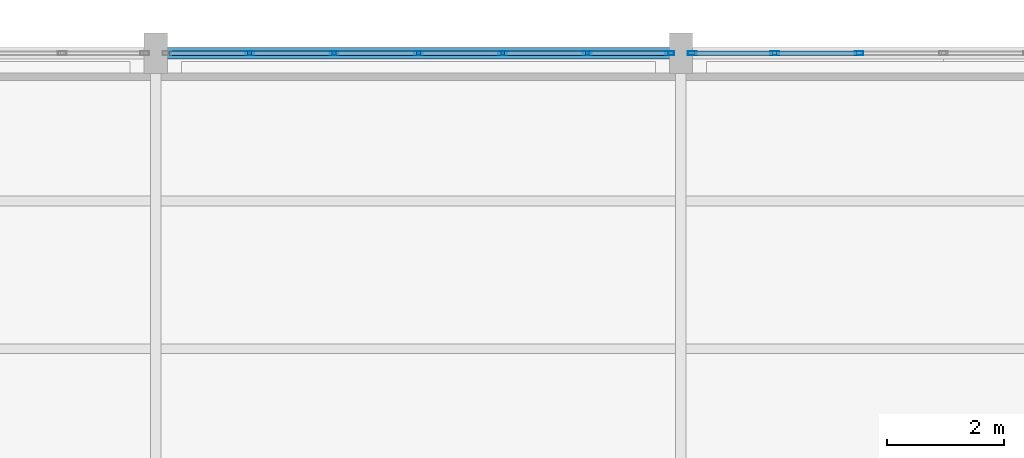
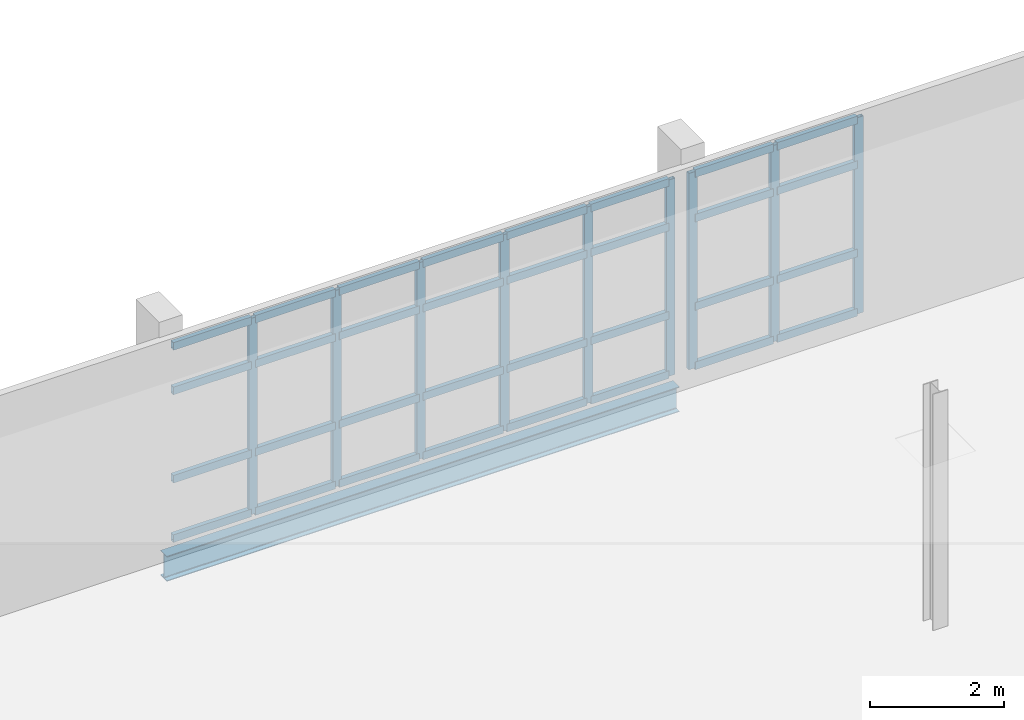
# One storey, part 99 of 174: 41 members, 1 beam, 2 elements without a shape of their own.
"""IFC4 building model written with IfcOpenShell, lengths in metres."""

import ifcopenshell
import ifcopenshell.guid

model = None  # the IFC model being written
_history = None  # IfcOwnerHistory: only IFC2X3 demands one
_inside = {}  # id of a spatial element -> (the spatial element, [elements in it])
_under = {}  # id of a project, library or spatial element -> (it, [spatial elements below it])
_declared = {}  # id of a project -> (the project, [libraries it declares])
_typed = {}  # id of a type object -> (the type object, [elements of that type])
_made_of = {}  # id of a material, layer set ... -> (it, [elements and type objects made of it])


def new_model(schema):
    """Start an empty IFC model of exactly this schema.

    Asked for "IFC4X3", IfcOpenShell would pick the latest addendum, in which some entities
    have other attributes; the version numbers below select the first issue.
    IFC2X3 requires an IfcOwnerHistory on every rooted entity: one is made here for all.
    """
    global model, _history
    if schema == "IFC4X3":
        model = ifcopenshell.file(schema_version=(4, 3, 0, 0))
    else:
        model = ifcopenshell.file(schema=schema)
    _inside.clear()
    _under.clear()
    _declared.clear()
    _typed.clear()
    _made_of.clear()
    _history = None
    if model.schema == "IFC2X3":
        org = make("IfcOrganization", Name="unknown")
        user = make(
            "IfcPersonAndOrganization",
            ThePerson=make("IfcPerson", FamilyName="unknown"),
            TheOrganization=org,
        )
        app = make(
            "IfcApplication",
            ApplicationDeveloper=org,
            Version="unknown",
            ApplicationFullName="unknown",
            ApplicationIdentifier="unknown",
        )
        _history = make(
            "IfcOwnerHistory",
            OwningUser=user,
            OwningApplication=app,
            ChangeAction="ADDED",
            CreationDate=0,
        )
    return model


def make(cls, **values):
    """One entity of the class cls with the attributes given. An attribute that is None is left unset."""
    return model.create_entity(
        cls, **{name: value for name, value in values.items() if value is not None}
    )


def rooted(cls, **values):
    """An entity with a GlobalId (a new one), such as an element, a storey or a relation."""
    return make(cls, GlobalId=ifcopenshell.guid.new(), OwnerHistory=_history, **values)


def si_unit(unit_type, name, prefix=None):
    """IfcSIUnit, for example si_unit("LENGTHUNIT", "METRE", prefix="MILLI")."""
    return make("IfcSIUnit", UnitType=unit_type, Prefix=prefix, Name=name)


def assignment(units):
    """IfcUnitAssignment: the units of a project."""
    return None if units is None else make("IfcUnitAssignment", Units=units)


def point(xyz):
    """IfcCartesianPoint."""
    return None if xyz is None else make("IfcCartesianPoint", Coordinates=xyz)


def direction(xyz):
    """IfcDirection."""
    return None if xyz is None else make("IfcDirection", DirectionRatios=xyz)


def frame(location, z_axis=None, x_axis=None):
    """IfcAxis2Placement3D, a coordinate frame: its origin and axes. An axis left out is left unset."""
    return make(
        "IfcAxis2Placement3D",
        Location=point(location),
        Axis=direction(z_axis),
        RefDirection=direction(x_axis),
    )


def frame_2d(location, x_axis=None):
    """IfcAxis2Placement2D, a coordinate frame in the plane: its origin and x axis."""
    return make(
        "IfcAxis2Placement2D", Location=point(location), RefDirection=direction(x_axis)
    )


def origin():
    """The frame at (0, 0, 0) with its axes left unset."""
    return frame((0.0, 0.0, 0.0))


def origin_2d():
    """The frame at (0, 0) in the plane with its x axis left unset."""
    return frame_2d((0.0, 0.0))


def place(relative_to, where):
    """IfcLocalPlacement: puts the frame where relative to a parent placement (None: the world)."""
    return make(
        "IfcLocalPlacement", PlacementRelTo=relative_to, RelativePlacement=where
    )


def context(
    kind, dimensions, precision=None, world=None, true_north=None, identifier=None
):
    """IfcGeometricRepresentationContext, for example the 3D "Model" context."""
    return make(
        "IfcGeometricRepresentationContext",
        ContextIdentifier=identifier,
        ContextType=kind,
        CoordinateSpaceDimension=dimensions,
        Precision=precision,
        WorldCoordinateSystem=world,
        TrueNorth=true_north,
    )


def subcontext(parent, identifier, kind, view, scale=None):
    """IfcGeometricRepresentationSubContext, for example "Body" below "Model"."""
    return make(
        "IfcGeometricRepresentationSubContext",
        ContextIdentifier=identifier,
        ContextType=kind,
        ParentContext=parent,
        TargetScale=scale,
        TargetView=view,
    )


def project(units=None, contexts=None):
    """IfcProject with its units and contexts."""
    return rooted(
        "IfcProject",
        Name="project",
        RepresentationContexts=contexts,
        UnitsInContext=assignment(units),
    )


def spatial(cls, under=None, at=None, **own):
    """A site, building, storey or space (cls), placed at a placement, below another one or the project."""
    s = rooted(cls, ObjectPlacement=at, **own)
    if under is not None:
        _under.setdefault(under.id(), (under, []))[1].append(s)
    return s


def profile(cls, at=None, kind="AREA", **sizes):
    """A parametric profile (cls). Its sizes go by their IFC names, for example OverallWidth=200.0."""
    return make(cls, ProfileType=kind, Position=at, **sizes)


def hollow_rectangle(**sizes):
    """IfcRectangleHollowProfileDef."""
    return profile("IfcRectangleHollowProfileDef", **sizes)


def i_section(**sizes):
    """IfcIShapeProfileDef."""
    return profile("IfcIShapeProfileDef", **sizes)


def extrude(swept, where, along, depth):
    """IfcExtrudedAreaSolid: the profile swept, set in the frame where, extruded along a direction by depth."""
    return make(
        "IfcExtrudedAreaSolid",
        SweptArea=swept,
        Position=where,
        ExtrudedDirection=direction(along),
        Depth=depth,
    )


def shape(context_of_items, identifier, shape_type, items):
    """IfcShapeRepresentation: the items that make up one representation, for example the "Body"."""
    return make(
        "IfcShapeRepresentation",
        ContextOfItems=context_of_items,
        RepresentationIdentifier=identifier,
        RepresentationType=shape_type,
        Items=items,
    )


def material(Name=None, Category=None):
    """IfcMaterial."""
    return make("IfcMaterial", Name=Name, Category=Category)


def material_profile(
    of_material, cross_section, Name=None, Category=None, Priority=None
):
    """IfcMaterialProfile: a cross section and its material."""
    return make(
        "IfcMaterialProfile",
        Name=Name,
        Material=of_material,
        Profile=cross_section,
        Priority=Priority,
        Category=Category,
    )


def profile_set(profiles, Name=None, composite=None):
    """IfcMaterialProfileSet."""
    return make(
        "IfcMaterialProfileSet",
        Name=Name,
        MaterialProfiles=profiles,
        CompositeProfile=composite,
    )


def made_of(thing, what):
    """Note that an element or type object is made of a material, layer set ...; save() writes the relation."""
    if what is not None:
        _made_of.setdefault(what.id(), (what, []))[1].append(thing)
    return thing


def type_object(cls, material=None, **own):
    """A type object (cls), such as IfcWallType, which elements share."""
    return made_of(rooted(cls, **own), material)


def element(
    cls,
    number,
    at=None,
    inside=None,
    cuts=None,
    type_object=None,
    material=None,
    context=None,
    identifier="Body",
    shape_type=None,
    held_by="IfcProductDefinitionShape",
    body=None,
    shapes=None,
    **own,
):
    """One element of the class cls, such as IfcWall. Its Tag is "e" and its number.

    at: its placement. inside: the storey or other place that contains it. cuts: it is an
    opening in that element (IfcRelVoidsElement). A single representation is given by context,
    identifier, shape_type and body (its items); several are given by shapes. held_by: the class
    of the entity that holds the representations. save() writes the other relations.
    """
    e = rooted(cls, Tag="e%d" % number, ObjectPlacement=at, **own)
    if body is not None:
        shapes = [shape(context, identifier, shape_type, body)]
    if shapes is not None:
        e.Representation = make(held_by, Representations=shapes)
    if inside is not None:
        _inside.setdefault(inside.id(), (inside, []))[1].append(e)
    if cuts is not None:
        rooted(
            "IfcRelVoidsElement", RelatingBuildingElement=cuts, RelatedOpeningElement=e
        )
    if type_object is not None:
        _typed.setdefault(type_object.id(), (type_object, []))[1].append(e)
    return made_of(e, material)


def aggregate(whole, parts):
    """IfcRelAggregates: a whole, such as a stair, and the parts it consists of."""
    return rooted("IfcRelAggregates", RelatingObject=whole, RelatedObjects=parts)


def save(model, path):
    """Write the relations noted so far, then the file.

    IfcRelAggregates (storeys below a building ...), IfcRelContainedInSpatialStructure (elements
    in a storey), IfcRelDefinesByType, IfcRelAssociatesMaterial and IfcRelDeclares: one each for
    every whole, place, type object, material and project.
    """
    for whole, parts in _under.values():
        aggregate(whole, parts)
    for where, things in _inside.values():
        rooted(
            "IfcRelContainedInSpatialStructure",
            RelatedElements=things,
            RelatingStructure=where,
        )
    for kind, things in _typed.values():
        rooted("IfcRelDefinesByType", RelatedObjects=things, RelatingType=kind)
    for what, things in _made_of.values():
        rooted("IfcRelAssociatesMaterial", RelatedObjects=things, RelatingMaterial=what)
    for by, libraries in _declared.values():
        rooted("IfcRelDeclares", RelatingContext=by, RelatedDefinitions=libraries)
    model.write(path)


model = new_model("IFC4")

# Units and contexts
model_context = context("Model", 3, precision=1e-05, world=origin(), true_north=direction((0.0, 1.0)))
body_context = subcontext(model_context, "Body", "Model", "MODEL_VIEW")
ifc_project = project(units=[si_unit("LENGTHUNIT", "METRE"), si_unit("AREAUNIT", "SQUARE_METRE"), si_unit("VOLUMEUNIT", "CUBIC_METRE"), si_unit("PLANEANGLEUNIT", "RADIAN"), si_unit("MASSUNIT", "GRAM", prefix="KILO")], contexts=[model_context])

# Site, building, storey
site_placement = place(None, origin())
site = spatial("IfcSite", under=ifc_project, at=site_placement, CompositionType="ELEMENT")
building_placement = place(site_placement, origin())
building = spatial("IfcBuilding", under=site, at=building_placement, Name="Caisbarro Railhouse Central Library", CompositionType="ELEMENT")
storey_placement = place(building_placement, frame((0.0, 0.0, 5.0400390625)))
storey = spatial("IfcBuildingStorey", under=building, at=storey_placement, Name="L01", CompositionType="ELEMENT", Elevation=5.0400390625)

# Beam
ifc_material_1 = material(Name="Steel ASTM A572 Grade 50", Category="steel")
ifc_material_profile_1 = material_profile(ifc_material_1, i_section(OverallWidth=0.18994140625, OverallDepth=0.45703125, WebThickness=0.009033203125, FlangeThickness=0.014404296875, FilletRadius=0.01806640625, at=origin_2d()), Name="W460X74.0")
ifc_profile_set_1 = profile_set([ifc_material_profile_1], Name="Steel ASTM A572 Grade 50")
beam_type = type_object("IfcBeamType", Name="BM-SP01", PredefinedType="SPANDREL", material=ifc_profile_set_1)
beam_placement = place(storey_placement, frame((63.080078125, 114.0, -0.428466796875), z_axis=(1.0, 0.0, 0.0), x_axis=(0.0, 1.0, 0.0)))
element("IfcBeam", 1, at=beam_placement, inside=storey, type_object=beam_type, Name="SP01 beam L01 #1180", PredefinedType="SPANDREL", context=body_context, shape_type="SweptSolid", body=[
    extrude(i_section(OverallWidth=0.18994140625, OverallDepth=0.45703125, WebThickness=0.009033203125, FlangeThickness=0.014404296875, FilletRadius=0.01806640625, at=origin_2d()), origin(), (0.0, 0.0, 1.0), 8.83984375),
])

# Curtain wall, members
ifc_material_2 = material(Name="Anodised architectural aluminium", Category="aluminium")
curtain_wall_type = type_object("IfcCurtainWallType", Name="CW-CW03", PredefinedType="NOTDEFINED", material=ifc_material_2)
curtain_wall_1_placement = place(storey_placement, origin())
curtain_wall_1 = element("IfcCurtainWall", 2, at=curtain_wall_1_placement, inside=storey, type_object=curtain_wall_type, Name="CW03 curtain wall L01 #173", PredefinedType="NOTDEFINED")
ifc_material_profile_2 = material_profile(ifc_material_2, hollow_rectangle(XDim=0.06494140625, YDim=0.14990234375, WallThickness=0.00390625, at=origin_2d()), Name="ALU-MUL-65X150")
ifc_profile_set_2 = profile_set([ifc_material_profile_2], Name="Anodised architectural aluminium")
member_type_1 = type_object("IfcMemberType", Name="CWM-M02", PredefinedType="MULLION", material=ifc_profile_set_2)
member_1_placement = place(storey_placement, frame((64.606689453125, 114.0, 0.0), z_axis=(0.0, 0.0, 1.0), x_axis=(0.0, 1.0, 0.0)))
member_1 = element("IfcMember", 3, at=member_1_placement, type_object=member_type_1, Name="CW03 mullion 2", PredefinedType="MULLION", context=body_context, shape_type="SweptSolid", body=[
    extrude(hollow_rectangle(XDim=0.06494140625, YDim=0.14990234375, WallThickness=0.00390625, at=origin_2d()), origin(), (0.0, 0.0, 1.0), 3.580078125),
])
member_2_placement = place(storey_placement, frame((66.05322265625, 114.0, 0.0), z_axis=(0.0, 0.0, 1.0), x_axis=(0.0, 1.0, 0.0)))
member_2 = element("IfcMember", 4, at=member_2_placement, type_object=member_type_1, Name="CW03 mullion 3", PredefinedType="MULLION", context=body_context, shape_type="SweptSolid", body=[
    extrude(hollow_rectangle(XDim=0.06494140625, YDim=0.14990234375, WallThickness=0.00390625, at=origin_2d()), origin(), (0.0, 0.0, 1.0), 3.580078125),
])
member_3_placement = place(storey_placement, frame((67.5, 114.0, 0.0), z_axis=(0.0, 0.0, 1.0), x_axis=(0.0, 1.0, 0.0)))
member_3 = element("IfcMember", 5, at=member_3_placement, type_object=member_type_1, Name="CW03 mullion 4", PredefinedType="MULLION", context=body_context, shape_type="SweptSolid", body=[
    extrude(hollow_rectangle(XDim=0.06494140625, YDim=0.14990234375, WallThickness=0.00390625, at=origin_2d()), origin(), (0.0, 0.0, 1.0), 3.580078125),
])
member_4_placement = place(storey_placement, frame((68.94677734375, 114.0, 0.0), z_axis=(0.0, 0.0, 1.0), x_axis=(0.0, 1.0, 0.0)))
member_4 = element("IfcMember", 6, at=member_4_placement, type_object=member_type_1, Name="CW03 mullion 5", PredefinedType="MULLION", context=body_context, shape_type="SweptSolid", body=[
    extrude(hollow_rectangle(XDim=0.06494140625, YDim=0.14990234375, WallThickness=0.00390625, at=origin_2d()), origin(), (0.0, 0.0, 1.0), 3.580078125),
])
member_5_placement = place(storey_placement, frame((70.393310546875, 114.0, 0.0), z_axis=(0.0, 0.0, 1.0), x_axis=(0.0, 1.0, 0.0)))
member_5 = element("IfcMember", 7, at=member_5_placement, type_object=member_type_1, Name="CW03 mullion 6", PredefinedType="MULLION", context=body_context, shape_type="SweptSolid", body=[
    extrude(hollow_rectangle(XDim=0.06494140625, YDim=0.14990234375, WallThickness=0.00390625, at=origin_2d()), origin(), (0.0, 0.0, 1.0), 3.580078125),
])
member_6_placement = place(storey_placement, frame((71.8076171875, 114.0, 0.0), z_axis=(0.0, 0.0, 1.0), x_axis=(0.0, 1.0, 0.0)))
member_6 = element("IfcMember", 8, at=member_6_placement, type_object=member_type_1, Name="CW03 mullion 7", PredefinedType="MULLION", context=body_context, shape_type="SweptSolid", body=[
    extrude(hollow_rectangle(XDim=0.06494140625, YDim=0.14990234375, WallThickness=0.00390625, at=origin_2d()), origin(), (0.0, 0.0, 1.0), 3.580078125),
])

curtain_wall_2_placement = place(storey_placement, origin())
curtain_wall_2 = element("IfcCurtainWall", 9, at=curtain_wall_2_placement, inside=storey, type_object=curtain_wall_type, Name="CW03 curtain wall L01 #175", PredefinedType="NOTDEFINED")
member_7_placement = place(storey_placement, frame((72.1923828125, 114.0, 0.0), z_axis=(0.0, 0.0, 1.0), x_axis=(0.0, 1.0, 0.0)))
member_7 = element("IfcMember", 10, at=member_7_placement, type_object=member_type_1, Name="CW03 mullion 1", PredefinedType="MULLION", context=body_context, shape_type="SweptSolid", body=[
    extrude(hollow_rectangle(XDim=0.06494140625, YDim=0.14990234375, WallThickness=0.00390625, at=origin_2d()), origin(), (0.0, 0.0, 1.0), 3.580078125),
])
member_8_placement = place(storey_placement, frame((73.606689453125, 114.0, 0.0), z_axis=(0.0, 0.0, 1.0), x_axis=(0.0, 1.0, 0.0)))
member_8 = element("IfcMember", 11, at=member_8_placement, type_object=member_type_1, Name="CW03 mullion 2", PredefinedType="MULLION", context=body_context, shape_type="SweptSolid", body=[
    extrude(hollow_rectangle(XDim=0.06494140625, YDim=0.14990234375, WallThickness=0.00390625, at=origin_2d()), origin(), (0.0, 0.0, 1.0), 3.580078125),
])
member_9_placement = place(storey_placement, frame((75.05322265625, 114.0, 0.0), z_axis=(0.0, 0.0, 1.0), x_axis=(0.0, 1.0, 0.0)))
member_9 = element("IfcMember", 12, at=member_9_placement, type_object=member_type_1, Name="CW03 mullion 3", PredefinedType="MULLION", context=body_context, shape_type="SweptSolid", body=[
    extrude(hollow_rectangle(XDim=0.06494140625, YDim=0.14990234375, WallThickness=0.00390625, at=origin_2d()), origin(), (0.0, 0.0, 1.0), 3.580078125),
])

# Member
ifc_material_profile_3 = material_profile(ifc_material_2, hollow_rectangle(XDim=0.074951171875, YDim=0.139892578125, WallThickness=0.00390625, at=origin_2d()), Name="ALU-TRN-75X140")
ifc_profile_set_3 = profile_set([ifc_material_profile_3], Name="Anodised architectural aluminium")
member_type_2 = type_object("IfcMemberType", Name="CWT-T01", PredefinedType="USERDEFINED", material=ifc_profile_set_3)
member_10_placement = place(storey_placement, frame((63.22509765625, 114.0, 0.037353515625), z_axis=(1.0, 0.0, 0.0), x_axis=(0.0, 1.0, 0.0)))
member_10 = element("IfcMember", 13, at=member_10_placement, type_object=member_type_2, Name="CW03 transom 1.1", ObjectType="TRANSOM", PredefinedType="USERDEFINED", context=body_context, shape_type="SweptSolid", body=[
    extrude(hollow_rectangle(XDim=0.074951171875, YDim=0.139892578125, WallThickness=0.00390625, at=origin_2d()), origin(), (0.0, 0.0, 1.0), 1.34912109375),
])

member_11_placement = place(storey_placement, frame((63.22509765625, 114.0, 1.119873046875), z_axis=(1.0, 0.0, 0.0), x_axis=(0.0, 1.0, 0.0)))
member_11 = element("IfcMember", 14, at=member_11_placement, type_object=member_type_2, Name="CW03 transom 1.2", ObjectType="TRANSOM", PredefinedType="USERDEFINED", context=body_context, shape_type="SweptSolid", body=[
    extrude(hollow_rectangle(XDim=0.074951171875, YDim=0.139892578125, WallThickness=0.00390625, at=origin_2d()), origin(), (0.0, 0.0, 1.0), 1.34912109375),
])

member_12_placement = place(storey_placement, frame((63.22509765625, 114.0, 2.72998046875), z_axis=(1.0, 0.0, 0.0), x_axis=(0.0, 1.0, 0.0)))
member_12 = element("IfcMember", 15, at=member_12_placement, type_object=member_type_2, Name="CW03 transom 1.3", ObjectType="TRANSOM", PredefinedType="USERDEFINED", context=body_context, shape_type="SweptSolid", body=[
    extrude(hollow_rectangle(XDim=0.074951171875, YDim=0.139892578125, WallThickness=0.00390625, at=origin_2d()), origin(), (0.0, 0.0, 1.0), 1.34912109375),
])

member_13_placement = place(storey_placement, frame((63.22509765625, 114.0, 3.54248046875), z_axis=(1.0, 0.0, 0.0), x_axis=(0.0, 1.0, 0.0)))
member_13 = element("IfcMember", 16, at=member_13_placement, type_object=member_type_2, Name="CW03 transom 1.4", ObjectType="TRANSOM", PredefinedType="USERDEFINED", context=body_context, shape_type="SweptSolid", body=[
    extrude(hollow_rectangle(XDim=0.074951171875, YDim=0.139892578125, WallThickness=0.00390625, at=origin_2d()), origin(), (0.0, 0.0, 1.0), 1.34912109375),
])

member_14_placement = place(storey_placement, frame((64.63916015625, 114.0, 0.037353515625), z_axis=(1.0, 0.0, 0.0), x_axis=(0.0, 1.0, 0.0)))
member_14 = element("IfcMember", 17, at=member_14_placement, type_object=member_type_2, Name="CW03 transom 2.1", ObjectType="TRANSOM", PredefinedType="USERDEFINED", context=body_context, shape_type="SweptSolid", body=[
    extrude(hollow_rectangle(XDim=0.074951171875, YDim=0.139892578125, WallThickness=0.00390625, at=origin_2d()), origin(), (0.0, 0.0, 1.0), 1.381591796875),
])

member_15_placement = place(storey_placement, frame((64.63916015625, 114.0, 1.119873046875), z_axis=(1.0, 0.0, 0.0), x_axis=(0.0, 1.0, 0.0)))
member_15 = element("IfcMember", 18, at=member_15_placement, type_object=member_type_2, Name="CW03 transom 2.2", ObjectType="TRANSOM", PredefinedType="USERDEFINED", context=body_context, shape_type="SweptSolid", body=[
    extrude(hollow_rectangle(XDim=0.074951171875, YDim=0.139892578125, WallThickness=0.00390625, at=origin_2d()), origin(), (0.0, 0.0, 1.0), 1.381591796875),
])

member_16_placement = place(storey_placement, frame((64.63916015625, 114.0, 2.72998046875), z_axis=(1.0, 0.0, 0.0), x_axis=(0.0, 1.0, 0.0)))
member_16 = element("IfcMember", 19, at=member_16_placement, type_object=member_type_2, Name="CW03 transom 2.3", ObjectType="TRANSOM", PredefinedType="USERDEFINED", context=body_context, shape_type="SweptSolid", body=[
    extrude(hollow_rectangle(XDim=0.074951171875, YDim=0.139892578125, WallThickness=0.00390625, at=origin_2d()), origin(), (0.0, 0.0, 1.0), 1.381591796875),
])

member_17_placement = place(storey_placement, frame((64.63916015625, 114.0, 3.54248046875), z_axis=(1.0, 0.0, 0.0), x_axis=(0.0, 1.0, 0.0)))
member_17 = element("IfcMember", 20, at=member_17_placement, type_object=member_type_2, Name="CW03 transom 2.4", ObjectType="TRANSOM", PredefinedType="USERDEFINED", context=body_context, shape_type="SweptSolid", body=[
    extrude(hollow_rectangle(XDim=0.074951171875, YDim=0.139892578125, WallThickness=0.00390625, at=origin_2d()), origin(), (0.0, 0.0, 1.0), 1.381591796875),
])

member_18_placement = place(storey_placement, frame((66.0859375, 114.0, 0.037353515625), z_axis=(1.0, 0.0, 0.0), x_axis=(0.0, 1.0, 0.0)))
member_18 = element("IfcMember", 21, at=member_18_placement, type_object=member_type_2, Name="CW03 transom 3.1", ObjectType="TRANSOM", PredefinedType="USERDEFINED", context=body_context, shape_type="SweptSolid", body=[
    extrude(hollow_rectangle(XDim=0.074951171875, YDim=0.139892578125, WallThickness=0.00390625, at=origin_2d()), origin(), (0.0, 0.0, 1.0), 1.381591796875),
])

member_19_placement = place(storey_placement, frame((66.0859375, 114.0, 1.119873046875), z_axis=(1.0, 0.0, 0.0), x_axis=(0.0, 1.0, 0.0)))
member_19 = element("IfcMember", 22, at=member_19_placement, type_object=member_type_2, Name="CW03 transom 3.2", ObjectType="TRANSOM", PredefinedType="USERDEFINED", context=body_context, shape_type="SweptSolid", body=[
    extrude(hollow_rectangle(XDim=0.074951171875, YDim=0.139892578125, WallThickness=0.00390625, at=origin_2d()), origin(), (0.0, 0.0, 1.0), 1.381591796875),
])

member_20_placement = place(storey_placement, frame((66.0859375, 114.0, 2.72998046875), z_axis=(1.0, 0.0, 0.0), x_axis=(0.0, 1.0, 0.0)))
member_20 = element("IfcMember", 23, at=member_20_placement, type_object=member_type_2, Name="CW03 transom 3.3", ObjectType="TRANSOM", PredefinedType="USERDEFINED", context=body_context, shape_type="SweptSolid", body=[
    extrude(hollow_rectangle(XDim=0.074951171875, YDim=0.139892578125, WallThickness=0.00390625, at=origin_2d()), origin(), (0.0, 0.0, 1.0), 1.381591796875),
])

member_21_placement = place(storey_placement, frame((66.0859375, 114.0, 3.54248046875), z_axis=(1.0, 0.0, 0.0), x_axis=(0.0, 1.0, 0.0)))
member_21 = element("IfcMember", 24, at=member_21_placement, type_object=member_type_2, Name="CW03 transom 3.4", ObjectType="TRANSOM", PredefinedType="USERDEFINED", context=body_context, shape_type="SweptSolid", body=[
    extrude(hollow_rectangle(XDim=0.074951171875, YDim=0.139892578125, WallThickness=0.00390625, at=origin_2d()), origin(), (0.0, 0.0, 1.0), 1.381591796875),
])

member_22_placement = place(storey_placement, frame((67.532470703125, 114.0, 0.037353515625), z_axis=(1.0, 0.0, 0.0), x_axis=(0.0, 1.0, 0.0)))
member_22 = element("IfcMember", 25, at=member_22_placement, type_object=member_type_2, Name="CW03 transom 4.1", ObjectType="TRANSOM", PredefinedType="USERDEFINED", context=body_context, shape_type="SweptSolid", body=[
    extrude(hollow_rectangle(XDim=0.074951171875, YDim=0.139892578125, WallThickness=0.00390625, at=origin_2d()), origin(), (0.0, 0.0, 1.0), 1.381591796875),
])

member_23_placement = place(storey_placement, frame((67.532470703125, 114.0, 1.119873046875), z_axis=(1.0, 0.0, 0.0), x_axis=(0.0, 1.0, 0.0)))
member_23 = element("IfcMember", 26, at=member_23_placement, type_object=member_type_2, Name="CW03 transom 4.2", ObjectType="TRANSOM", PredefinedType="USERDEFINED", context=body_context, shape_type="SweptSolid", body=[
    extrude(hollow_rectangle(XDim=0.074951171875, YDim=0.139892578125, WallThickness=0.00390625, at=origin_2d()), origin(), (0.0, 0.0, 1.0), 1.381591796875),
])

member_24_placement = place(storey_placement, frame((67.532470703125, 114.0, 2.72998046875), z_axis=(1.0, 0.0, 0.0), x_axis=(0.0, 1.0, 0.0)))
member_24 = element("IfcMember", 27, at=member_24_placement, type_object=member_type_2, Name="CW03 transom 4.3", ObjectType="TRANSOM", PredefinedType="USERDEFINED", context=body_context, shape_type="SweptSolid", body=[
    extrude(hollow_rectangle(XDim=0.074951171875, YDim=0.139892578125, WallThickness=0.00390625, at=origin_2d()), origin(), (0.0, 0.0, 1.0), 1.381591796875),
])

member_25_placement = place(storey_placement, frame((67.532470703125, 114.0, 3.54248046875), z_axis=(1.0, 0.0, 0.0), x_axis=(0.0, 1.0, 0.0)))
member_25 = element("IfcMember", 28, at=member_25_placement, type_object=member_type_2, Name="CW03 transom 4.4", ObjectType="TRANSOM", PredefinedType="USERDEFINED", context=body_context, shape_type="SweptSolid", body=[
    extrude(hollow_rectangle(XDim=0.074951171875, YDim=0.139892578125, WallThickness=0.00390625, at=origin_2d()), origin(), (0.0, 0.0, 1.0), 1.381591796875),
])

member_26_placement = place(storey_placement, frame((68.979248046875, 114.0, 0.037353515625), z_axis=(1.0, 0.0, 0.0), x_axis=(0.0, 1.0, 0.0)))
member_26 = element("IfcMember", 29, at=member_26_placement, type_object=member_type_2, Name="CW03 transom 5.1", ObjectType="TRANSOM", PredefinedType="USERDEFINED", context=body_context, shape_type="SweptSolid", body=[
    extrude(hollow_rectangle(XDim=0.074951171875, YDim=0.139892578125, WallThickness=0.00390625, at=origin_2d()), origin(), (0.0, 0.0, 1.0), 1.381591796875),
])

member_27_placement = place(storey_placement, frame((68.979248046875, 114.0, 1.119873046875), z_axis=(1.0, 0.0, 0.0), x_axis=(0.0, 1.0, 0.0)))
member_27 = element("IfcMember", 30, at=member_27_placement, type_object=member_type_2, Name="CW03 transom 5.2", ObjectType="TRANSOM", PredefinedType="USERDEFINED", context=body_context, shape_type="SweptSolid", body=[
    extrude(hollow_rectangle(XDim=0.074951171875, YDim=0.139892578125, WallThickness=0.00390625, at=origin_2d()), origin(), (0.0, 0.0, 1.0), 1.381591796875),
])

member_28_placement = place(storey_placement, frame((68.979248046875, 114.0, 2.72998046875), z_axis=(1.0, 0.0, 0.0), x_axis=(0.0, 1.0, 0.0)))
member_28 = element("IfcMember", 31, at=member_28_placement, type_object=member_type_2, Name="CW03 transom 5.3", ObjectType="TRANSOM", PredefinedType="USERDEFINED", context=body_context, shape_type="SweptSolid", body=[
    extrude(hollow_rectangle(XDim=0.074951171875, YDim=0.139892578125, WallThickness=0.00390625, at=origin_2d()), origin(), (0.0, 0.0, 1.0), 1.381591796875),
])

member_29_placement = place(storey_placement, frame((68.979248046875, 114.0, 3.54248046875), z_axis=(1.0, 0.0, 0.0), x_axis=(0.0, 1.0, 0.0)))
member_29 = element("IfcMember", 32, at=member_29_placement, type_object=member_type_2, Name="CW03 transom 5.4", ObjectType="TRANSOM", PredefinedType="USERDEFINED", context=body_context, shape_type="SweptSolid", body=[
    extrude(hollow_rectangle(XDim=0.074951171875, YDim=0.139892578125, WallThickness=0.00390625, at=origin_2d()), origin(), (0.0, 0.0, 1.0), 1.381591796875),
])

member_30_placement = place(storey_placement, frame((70.42578125, 114.0, 0.037353515625), z_axis=(1.0, 0.0, 0.0), x_axis=(0.0, 1.0, 0.0)))
member_30 = element("IfcMember", 33, at=member_30_placement, type_object=member_type_2, Name="CW03 transom 6.1", ObjectType="TRANSOM", PredefinedType="USERDEFINED", context=body_context, shape_type="SweptSolid", body=[
    extrude(hollow_rectangle(XDim=0.074951171875, YDim=0.139892578125, WallThickness=0.00390625, at=origin_2d()), origin(), (0.0, 0.0, 1.0), 1.34912109375),
])

member_31_placement = place(storey_placement, frame((70.42578125, 114.0, 1.119873046875), z_axis=(1.0, 0.0, 0.0), x_axis=(0.0, 1.0, 0.0)))
member_31 = element("IfcMember", 34, at=member_31_placement, type_object=member_type_2, Name="CW03 transom 6.2", ObjectType="TRANSOM", PredefinedType="USERDEFINED", context=body_context, shape_type="SweptSolid", body=[
    extrude(hollow_rectangle(XDim=0.074951171875, YDim=0.139892578125, WallThickness=0.00390625, at=origin_2d()), origin(), (0.0, 0.0, 1.0), 1.34912109375),
])

member_32_placement = place(storey_placement, frame((70.42578125, 114.0, 2.72998046875), z_axis=(1.0, 0.0, 0.0), x_axis=(0.0, 1.0, 0.0)))
member_32 = element("IfcMember", 35, at=member_32_placement, type_object=member_type_2, Name="CW03 transom 6.3", ObjectType="TRANSOM", PredefinedType="USERDEFINED", context=body_context, shape_type="SweptSolid", body=[
    extrude(hollow_rectangle(XDim=0.074951171875, YDim=0.139892578125, WallThickness=0.00390625, at=origin_2d()), origin(), (0.0, 0.0, 1.0), 1.34912109375),
])

member_33_placement = place(storey_placement, frame((70.42578125, 114.0, 3.54248046875), z_axis=(1.0, 0.0, 0.0), x_axis=(0.0, 1.0, 0.0)))
member_33 = element("IfcMember", 36, at=member_33_placement, type_object=member_type_2, Name="CW03 transom 6.4", ObjectType="TRANSOM", PredefinedType="USERDEFINED", context=body_context, shape_type="SweptSolid", body=[
    extrude(hollow_rectangle(XDim=0.074951171875, YDim=0.139892578125, WallThickness=0.00390625, at=origin_2d()), origin(), (0.0, 0.0, 1.0), 1.34912109375),
])

aggregate(curtain_wall_1, [member_1, member_2, member_3, member_4, member_5, member_6, member_10, member_11, member_12, member_13, member_14, member_15, member_16, member_17, member_18, member_19, member_20, member_21, member_22, member_23, member_24, member_25, member_26, member_27, member_28, member_29, member_30, member_31, member_32, member_33])

member_34_placement = place(storey_placement, frame((72.22509765625, 114.0, 0.037353515625), z_axis=(1.0, 0.0, 0.0), x_axis=(0.0, 1.0, 0.0)))
member_34 = element("IfcMember", 37, at=member_34_placement, type_object=member_type_2, Name="CW03 transom 1.1", ObjectType="TRANSOM", PredefinedType="USERDEFINED", context=body_context, shape_type="SweptSolid", body=[
    extrude(hollow_rectangle(XDim=0.074951171875, YDim=0.139892578125, WallThickness=0.00390625, at=origin_2d()), origin(), (0.0, 0.0, 1.0), 1.34912109375),
])

member_35_placement = place(storey_placement, frame((72.22509765625, 114.0, 1.119873046875), z_axis=(1.0, 0.0, 0.0), x_axis=(0.0, 1.0, 0.0)))
member_35 = element("IfcMember", 38, at=member_35_placement, type_object=member_type_2, Name="CW03 transom 1.2", ObjectType="TRANSOM", PredefinedType="USERDEFINED", context=body_context, shape_type="SweptSolid", body=[
    extrude(hollow_rectangle(XDim=0.074951171875, YDim=0.139892578125, WallThickness=0.00390625, at=origin_2d()), origin(), (0.0, 0.0, 1.0), 1.34912109375),
])

member_36_placement = place(storey_placement, frame((72.22509765625, 114.0, 2.72998046875), z_axis=(1.0, 0.0, 0.0), x_axis=(0.0, 1.0, 0.0)))
member_36 = element("IfcMember", 39, at=member_36_placement, type_object=member_type_2, Name="CW03 transom 1.3", ObjectType="TRANSOM", PredefinedType="USERDEFINED", context=body_context, shape_type="SweptSolid", body=[
    extrude(hollow_rectangle(XDim=0.074951171875, YDim=0.139892578125, WallThickness=0.00390625, at=origin_2d()), origin(), (0.0, 0.0, 1.0), 1.34912109375),
])

member_37_placement = place(storey_placement, frame((72.22509765625, 114.0, 3.54248046875), z_axis=(1.0, 0.0, 0.0), x_axis=(0.0, 1.0, 0.0)))
member_37 = element("IfcMember", 40, at=member_37_placement, type_object=member_type_2, Name="CW03 transom 1.4", ObjectType="TRANSOM", PredefinedType="USERDEFINED", context=body_context, shape_type="SweptSolid", body=[
    extrude(hollow_rectangle(XDim=0.074951171875, YDim=0.139892578125, WallThickness=0.00390625, at=origin_2d()), origin(), (0.0, 0.0, 1.0), 1.34912109375),
])

member_38_placement = place(storey_placement, frame((73.63916015625, 114.0, 0.037353515625), z_axis=(1.0, 0.0, 0.0), x_axis=(0.0, 1.0, 0.0)))
member_38 = element("IfcMember", 41, at=member_38_placement, type_object=member_type_2, Name="CW03 transom 2.1", ObjectType="TRANSOM", PredefinedType="USERDEFINED", context=body_context, shape_type="SweptSolid", body=[
    extrude(hollow_rectangle(XDim=0.074951171875, YDim=0.139892578125, WallThickness=0.00390625, at=origin_2d()), origin(), (0.0, 0.0, 1.0), 1.381591796875),
])

member_39_placement = place(storey_placement, frame((73.63916015625, 114.0, 1.119873046875), z_axis=(1.0, 0.0, 0.0), x_axis=(0.0, 1.0, 0.0)))
member_39 = element("IfcMember", 42, at=member_39_placement, type_object=member_type_2, Name="CW03 transom 2.2", ObjectType="TRANSOM", PredefinedType="USERDEFINED", context=body_context, shape_type="SweptSolid", body=[
    extrude(hollow_rectangle(XDim=0.074951171875, YDim=0.139892578125, WallThickness=0.00390625, at=origin_2d()), origin(), (0.0, 0.0, 1.0), 1.381591796875),
])

member_40_placement = place(storey_placement, frame((73.63916015625, 114.0, 2.72998046875), z_axis=(1.0, 0.0, 0.0), x_axis=(0.0, 1.0, 0.0)))
member_40 = element("IfcMember", 43, at=member_40_placement, type_object=member_type_2, Name="CW03 transom 2.3", ObjectType="TRANSOM", PredefinedType="USERDEFINED", context=body_context, shape_type="SweptSolid", body=[
    extrude(hollow_rectangle(XDim=0.074951171875, YDim=0.139892578125, WallThickness=0.00390625, at=origin_2d()), origin(), (0.0, 0.0, 1.0), 1.381591796875),
])

member_41_placement = place(storey_placement, frame((73.63916015625, 114.0, 3.54248046875), z_axis=(1.0, 0.0, 0.0), x_axis=(0.0, 1.0, 0.0)))
member_41 = element("IfcMember", 44, at=member_41_placement, type_object=member_type_2, Name="CW03 transom 2.4", ObjectType="TRANSOM", PredefinedType="USERDEFINED", context=body_context, shape_type="SweptSolid", body=[
    extrude(hollow_rectangle(XDim=0.074951171875, YDim=0.139892578125, WallThickness=0.00390625, at=origin_2d()), origin(), (0.0, 0.0, 1.0), 1.381591796875),
])

aggregate(curtain_wall_2, [member_7, member_8, member_9, member_34, member_35, member_36, member_37, member_38, member_39, member_40, member_41])

save(model, "model.ifc")
